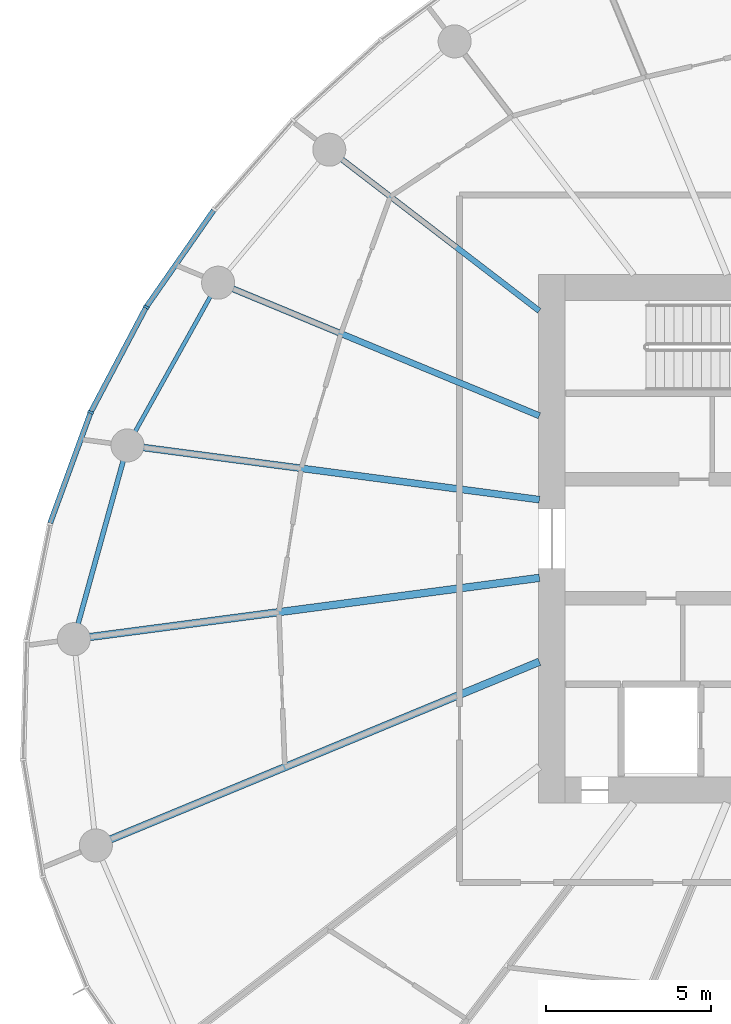
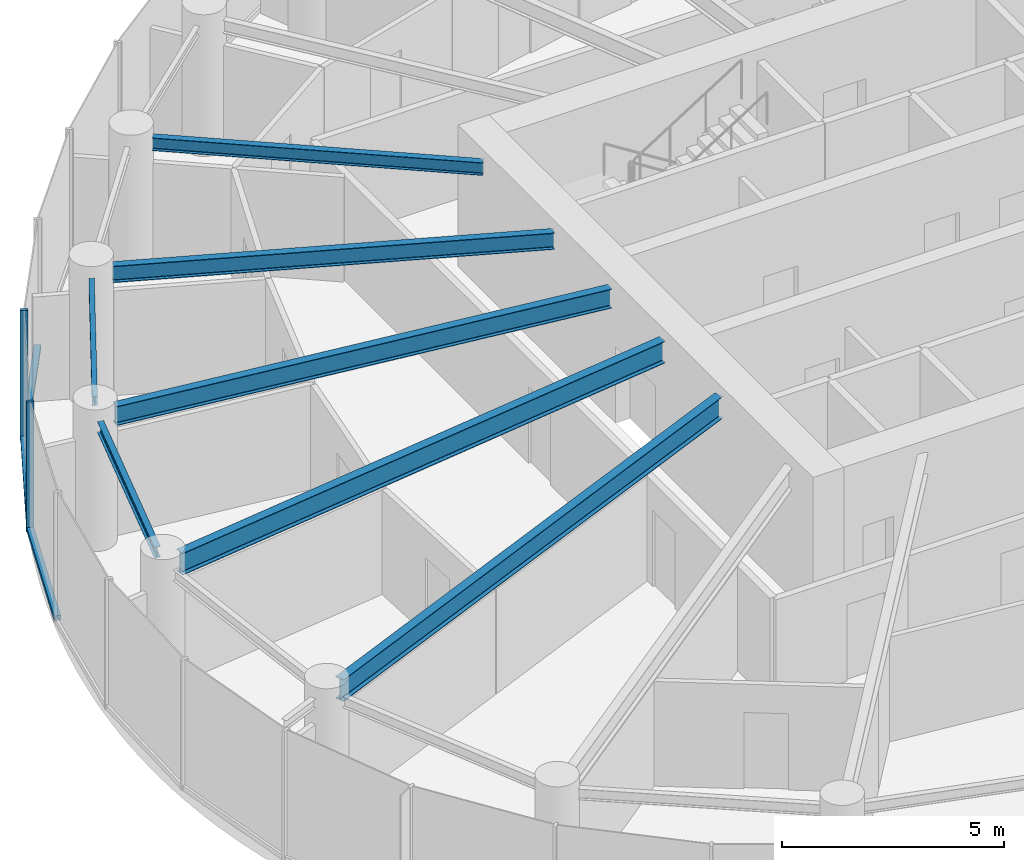
# One storey, part 3 of 14: 7 beams, 5 members, 1 element without a shape of its own.
"""IFC4 building model written with IfcOpenShell, lengths in metres."""

from ifc_helpers import new_model, si_unit, direction, frame, origin, origin_2d, place, context, subcontext, project, spatial, rectangle, i_section, extrude, source, transform, mapped, material, layer, layer_set, material_profile, profile_set, type_object, element, aggregate, save


model = new_model("IFC4")

# Units and contexts
model_context = context("Model", 3, precision=1e-05, world=origin(), true_north=direction((0.0, 1.0)))
body_context = subcontext(model_context, "Body", "Model", "MODEL_VIEW")
ifc_project = project(units=[si_unit("LENGTHUNIT", "METRE"), si_unit("AREAUNIT", "SQUARE_METRE"), si_unit("VOLUMEUNIT", "CUBIC_METRE"), si_unit("PLANEANGLEUNIT", "RADIAN"), si_unit("MASSUNIT", "GRAM", prefix="KILO")], contexts=[model_context])

# Site, building, storey
site_placement = place(None, origin())
site = spatial("IfcSite", under=ifc_project, at=site_placement, CompositionType="ELEMENT")
building_placement = place(site_placement, origin())
building = spatial("IfcBuilding", under=site, at=building_placement, Name="Spindrift Exchange Tower", CompositionType="ELEMENT")
storey_placement = place(building_placement, frame((0.0, 0.0, 152.60009765625)))
storey = spatial("IfcBuildingStorey", under=building, at=storey_placement, Name="L36", CompositionType="ELEMENT", Elevation=152.60009765625)

# Beams
ifc_material_1 = material(Name="Steel Grade 300", Category="steel")
ifc_material_profile_1 = material_profile(ifc_material_1, i_section(OverallWidth=0.1240234375, OverallDepth=0.248046875, WebThickness=0.0048828125, FlangeThickness=0.008056640625, FilletRadius=0.011962890625, at=origin_2d()), Name="250UB25.7")
ifc_profile_set_1 = profile_set([ifc_material_profile_1], Name="Steel Grade 300")
beam_type_1 = type_object("IfcBeamType", Name="Edge Beam 250UB25.7 Steel Grade 300", PredefinedType="SPANDREL", material=ifc_profile_set_1)
shared_shape_1 = source(origin(), body_context, "Body", "SweptSolid", [
    extrude(i_section(OverallWidth=0.1240234375, OverallDepth=0.248046875, WebThickness=0.0048828125, FlangeThickness=0.008056640625, FilletRadius=0.011962890625, at=origin_2d()), origin(), (0.0, 0.0, 1.0), 4.6748046875),
])
beam_1_placement = place(storey_placement, frame((33.067138671875, 55.326171875, 3.455810546875), z_axis=(-0.486587145143, -0.873632045075, 0.0), x_axis=(0.873632045075, -0.486587145143, 0.0)))
element("IfcBeam", 1, at=beam_1_placement, inside=storey, type_object=beam_type_1, Name="L36 edge beam E11", PredefinedType="SPANDREL", context=body_context, shape_type="MappedRepresentation", body=[
    mapped(shared_shape_1, transform((0.0, 0.0, 0.0), scale=1.0)),
])
ifc_material_profile_2 = material_profile(ifc_material_1, i_section(OverallWidth=0.14892578125, OverallDepth=0.298095703125, WebThickness=0.005615234375, FlangeThickness=0.008056640625, FilletRadius=0.012939453125, at=origin_2d()), Name="310UB32.0")
ifc_profile_set_2 = profile_set([ifc_material_profile_2], Name="Steel Grade 300")
beam_type_2 = type_object("IfcBeamType", Name="Edge Beam 310UB32.0 Steel Grade 300", PredefinedType="SPANDREL", material=ifc_profile_set_2)
shared_shape_2 = source(origin(), body_context, "Body", "SweptSolid", [
    extrude(i_section(OverallWidth=0.14892578125, OverallDepth=0.298095703125, WebThickness=0.005615234375, FlangeThickness=0.008056640625, FilletRadius=0.012939453125, at=origin_2d()), origin(), (0.0, 0.0, 1.0), 5.118896484375),
])
beam_2_placement = place(storey_placement, frame((30.430908203125, 50.360107421875, 3.430908203125), z_axis=(-0.266654866605, -0.963792084485, 0.0), x_axis=(0.963792084485, -0.266654866605, 0.0)))
element("IfcBeam", 2, at=beam_2_placement, inside=storey, type_object=beam_type_2, Name="L36 edge beam E12", PredefinedType="SPANDREL", context=body_context, shape_type="MappedRepresentation", body=[
    mapped(shared_shape_2, transform((0.0, 0.0, 0.0), scale=1.0)),
])
ifc_material_profile_3 = material_profile(ifc_material_1, i_section(OverallWidth=0.22802734375, OverallDepth=0.60205078125, WebThickness=0.010498046875, FlangeThickness=0.014892578125, FilletRadius=0.013916015625, at=origin_2d()), Name="610UB101")
ifc_profile_set_3 = profile_set([ifc_material_profile_3], Name="Steel Grade 300")
beam_type_3 = type_object("IfcBeamType", Name="Floor Beam 610UB101 Steel Grade 300", PredefinedType="BEAM", material=ifc_profile_set_3)
shared_shape_3 = source(origin(), body_context, "Body", "SweptSolid", [
    extrude(i_section(OverallWidth=0.22802734375, OverallDepth=0.60205078125, WebThickness=0.010498046875, FlangeThickness=0.014892578125, FilletRadius=0.013916015625, at=origin_2d()), origin(), (0.0, 0.0, 1.0), 13.723388671875),
])
beam_3_placement = place(storey_placement, frame((43.019775390625, 46.817626953125, 3.27880859375), z_axis=(-0.991447148915, -0.13050881544, 0.0), x_axis=(0.13050881544, -0.991447148915, 0.0)))
element("IfcBeam", 3, at=beam_3_placement, inside=storey, type_object=beam_type_3, Name="L36 radial beam R13A", PredefinedType="BEAM", context=body_context, shape_type="MappedRepresentation", body=[
    mapped(shared_shape_3, transform((0.0, 0.0, 0.0), scale=1.0)),
])
shared_shape_4 = source(origin(), body_context, "Body", "SweptSolid", [
    extrude(i_section(OverallWidth=0.22802734375, OverallDepth=0.60205078125, WebThickness=0.010498046875, FlangeThickness=0.014892578125, FilletRadius=0.013916015625, at=origin_2d()), origin(), (0.0, 0.0, 1.0), 14.04052734375),
])
beam_4_placement = place(storey_placement, frame((43.0185546875, 44.27978515625, 3.27880859375), z_axis=(-0.923879501748, -0.382683506634, 0.0), x_axis=(0.382683506634, -0.923879501748, 0.0)))
element("IfcBeam", 4, at=beam_4_placement, inside=storey, type_object=beam_type_3, Name="L36 radial beam R14A", PredefinedType="BEAM", context=body_context, shape_type="MappedRepresentation", body=[
    mapped(shared_shape_4, transform((0.0, 0.0, 0.0), scale=1.0)),
])
ifc_material_profile_4 = material_profile(ifc_material_1, i_section(OverallWidth=0.1708984375, OverallDepth=0.35205078125, WebThickness=0.0068359375, FlangeThickness=0.009765625, FilletRadius=0.013916015625, at=origin_2d()), Name="360UB44.7")
ifc_profile_set_4 = profile_set([ifc_material_profile_4], Name="Steel Grade 300")
beam_type_4 = type_object("IfcBeamType", Name="Floor Beam 360UB44.7 Steel Grade 300", PredefinedType="BEAM", material=ifc_profile_set_4)
shared_shape_5 = source(origin(), body_context, "Body", "SweptSolid", [
    extrude(i_section(OverallWidth=0.1708984375, OverallDepth=0.35205078125, WebThickness=0.0068359375, FlangeThickness=0.009765625, FilletRadius=0.013916015625, at=origin_2d()), origin(), (0.0, 0.0, 1.0), 7.52685546875),
])
beam_5_placement = place(storey_placement, frame((43.015869140625, 54.893798828125, 3.40380859375), z_axis=(-0.793354136078, 0.608760391918, 0.0), x_axis=(-0.608760391918, -0.793354136078, 0.0)))
element("IfcBeam", 5, at=beam_5_placement, inside=storey, type_object=beam_type_4, Name="L36 radial beam R10A", PredefinedType="BEAM", context=body_context, shape_type="MappedRepresentation", body=[
    mapped(shared_shape_5, transform((0.0, 0.0, 0.0), scale=1.0)),
])
ifc_material_profile_5 = material_profile(ifc_material_1, i_section(OverallWidth=0.18994140625, OverallDepth=0.4541015625, WebThickness=0.008544921875, FlangeThickness=0.0126953125, FilletRadius=0.013916015625, at=origin_2d()), Name="460UB67.1")
ifc_profile_set_5 = profile_set([ifc_material_profile_5], Name="Steel Grade 300")
beam_type_5 = type_object("IfcBeamType", Name="Floor Beam 460UB67.1 Steel Grade 300", PredefinedType="BEAM", material=ifc_profile_set_5)
shared_shape_6 = source(origin(), body_context, "Body", "SweptSolid", [
    extrude(i_section(OverallWidth=0.18994140625, OverallDepth=0.4541015625, WebThickness=0.008544921875, FlangeThickness=0.0126953125, FilletRadius=0.013916015625, at=origin_2d()), origin(), (0.0, 0.0, 1.0), 10.03857421875),
])
beam_6_placement = place(storey_placement, frame((43.0185546875, 51.72021484375, 3.352783203125), z_axis=(-0.923880777638, 0.382680426349, 0.0), x_axis=(-0.382680426349, -0.923880777638, 0.0)))
element("IfcBeam", 6, at=beam_6_placement, inside=storey, type_object=beam_type_5, Name="L36 radial beam R11A", PredefinedType="BEAM", context=body_context, shape_type="MappedRepresentation", body=[
    mapped(shared_shape_6, transform((0.0, 0.0, 0.0), scale=1.0)),
])
ifc_material_profile_6 = material_profile(ifc_material_1, i_section(OverallWidth=0.208984375, OverallDepth=0.528076171875, WebThickness=0.009521484375, FlangeThickness=0.01318359375, FilletRadius=0.013916015625, at=origin_2d()), Name="530UB82.0")
ifc_profile_set_6 = profile_set([ifc_material_profile_6], Name="Steel Grade 300")
beam_type_6 = type_object("IfcBeamType", Name="Floor Beam 530UB82.0 Steel Grade 300", PredefinedType="BEAM", material=ifc_profile_set_6)
shared_shape_7 = source(origin(), body_context, "Body", "SweptSolid", [
    extrude(i_section(OverallWidth=0.208984375, OverallDepth=0.528076171875, WebThickness=0.009521484375, FlangeThickness=0.01318359375, FilletRadius=0.013916015625, at=origin_2d()), origin(), (0.0, 0.0, 1.0), 12.088134765625),
])
beam_7_placement = place(storey_placement, frame((43.019775390625, 49.182373046875, 3.31591796875), z_axis=(-0.991447007302, 0.130509891244, 0.0), x_axis=(-0.130509891244, -0.991447007302, 0.0)))
element("IfcBeam", 7, at=beam_7_placement, inside=storey, type_object=beam_type_6, Name="L36 radial beam R12A", PredefinedType="BEAM", context=body_context, shape_type="MappedRepresentation", body=[
    mapped(shared_shape_7, transform((0.0, 0.0, 0.0), scale=1.0)),
])

# Curtain wall, members
ifc_material_2 = material(Name="Fritted laminated glass with bronze frame", Category="glass")
ifc_layer = layer(ifc_material_2, 0.179931640625)
ifc_layer_set = layer_set([ifc_layer], Name="ZONE 3 BRONZE FRITTED WALL")
curtain_wall_type = type_object("IfcCurtainWallType", Name="ZONE 3 BRONZE FRITTED WALL", PredefinedType="NOTDEFINED", material=ifc_layer_set)
curtain_wall_placement = place(storey_placement, origin())
curtain_wall = element("IfcCurtainWall", 8, at=curtain_wall_placement, inside=storey, type_object=curtain_wall_type, Name="L36 Zone 3 Bronze Fritted Wall run 3", PredefinedType="NOTDEFINED")
ifc_material_3 = material(Name="Bronze anodised aluminium", Category="aluminium")
ifc_material_profile_7 = material_profile(ifc_material_3, rectangle(XDim=0.070068359375, YDim=0.179931640625, at=origin_2d()), Name="ZONE 3 BRONZE FRITTED WALL MULLION 70X180")
ifc_profile_set_7 = profile_set([ifc_material_profile_7], Name="Bronze anodised aluminium")
member_type_1 = type_object("IfcMemberType", Name="ZONE 3 BRONZE FRITTED WALL MULLION 70X180", PredefinedType="MULLION", material=ifc_profile_set_7)
shared_shape_8 = source(origin(), body_context, "Body", "SweptSolid", [
    extrude(rectangle(XDim=0.070068359375, YDim=0.179931640625, at=origin_2d()), origin(), (0.0, 0.0, 1.0), 3.579833984375),
])
member_1_placement = place(storey_placement, frame((31.126220703125, 55.009033203125, 0.0), z_axis=(0.0, 0.0, 1.0), x_axis=(-0.520249782642, -0.854014147225, 0.0)))
member_1 = element("IfcMember", 9, at=member_1_placement, type_object=member_type_1, Name="L36 mullion CW-3.15", PredefinedType="MULLION", context=body_context, shape_type="MappedRepresentation", body=[
    mapped(shared_shape_8, transform((0.0, 0.0, 0.0), scale=1.0)),
])
member_2_placement = place(storey_placement, frame((29.44580078125, 51.8251953125, 0.0), z_axis=(0.0, 0.0, 1.0), x_axis=(-0.405878701504, -0.913926955323, 0.0)))
member_2 = element("IfcMember", 10, at=member_2_placement, type_object=member_type_1, Name="L36 mullion CW-3.16", PredefinedType="MULLION", context=body_context, shape_type="MappedRepresentation", body=[
    mapped(shared_shape_8, transform((0.0, 0.0, 0.0), scale=1.0)),
])
ifc_material_profile_8 = material_profile(ifc_material_3, rectangle(XDim=0.159912109375, YDim=0.1298828125, at=origin_2d()), Name="ZONE 3 BRONZE FRITTED WALL TRANSOM 160X130")
ifc_profile_set_8 = profile_set([ifc_material_profile_8], Name="Bronze anodised aluminium")
member_type_2 = type_object("IfcMemberType", Name="ZONE 3 BRONZE FRITTED WALL TRANSOM 160X130", PredefinedType="USERDEFINED", material=ifc_profile_set_8)
shared_shape_9 = source(origin(), body_context, "Body", "SweptSolid", [
    extrude(rectangle(XDim=0.159912109375, YDim=0.1298828125, at=origin_2d()), origin(), (0.0, 0.0, 1.0), 3.5302734375),
])
member_3_placement = place(storey_placement, frame((31.10986328125, 54.97802734375, 0.06494140625), z_axis=(-0.466746599314, -0.88439109676, 0.0), x_axis=(0.88439109676, -0.466746599314, 0.0)))
member_3 = element("IfcMember", 11, at=member_3_placement, type_object=member_type_2, Name="L36 transom CW-3.15", ObjectType="TRANSOM", PredefinedType="USERDEFINED", context=body_context, shape_type="MappedRepresentation", body=[
    mapped(shared_shape_9, transform((0.0, 0.0, 0.0), scale=1.0)),
])
shared_shape_10 = source(origin(), body_context, "Body", "SweptSolid", [
    extrude(rectangle(XDim=0.159912109375, YDim=0.1298828125, at=origin_2d()), origin(), (0.0, 0.0, 1.0), 3.530517578125),
])
member_4_placement = place(storey_placement, frame((33.164794921875, 57.93408203125, 0.06494140625), z_axis=(-0.571753169713, -0.820425690068, 0.0), x_axis=(0.820425690068, -0.571753169713, 0.0)))
member_4 = element("IfcMember", 12, at=member_4_placement, type_object=member_type_2, Name="L36 transom CW-3.14", ObjectType="TRANSOM", PredefinedType="USERDEFINED", context=body_context, shape_type="MappedRepresentation", body=[
    mapped(shared_shape_10, transform((0.0, 0.0, 0.0), scale=1.0)),
])
shared_shape_11 = source(origin(), body_context, "Body", "SweptSolid", [
    extrude(rectangle(XDim=0.159912109375, YDim=0.1298828125, at=origin_2d()), origin(), (0.0, 0.0, 1.0), 3.529541015625),
])
member_5_placement = place(storey_placement, frame((29.433837890625, 51.792236328125, 0.06494140625), z_axis=(-0.343158919957, -0.939277358214, 0.0), x_axis=(0.939277358214, -0.343158919957, 0.0)))
member_5 = element("IfcMember", 13, at=member_5_placement, type_object=member_type_2, Name="L36 transom CW-3.16", ObjectType="TRANSOM", PredefinedType="USERDEFINED", context=body_context, shape_type="MappedRepresentation", body=[
    mapped(shared_shape_11, transform((0.0, 0.0, 0.0), scale=1.0)),
])
aggregate(curtain_wall, [member_4, member_1, member_3, member_2, member_5])

save(model, "model.ifc")
